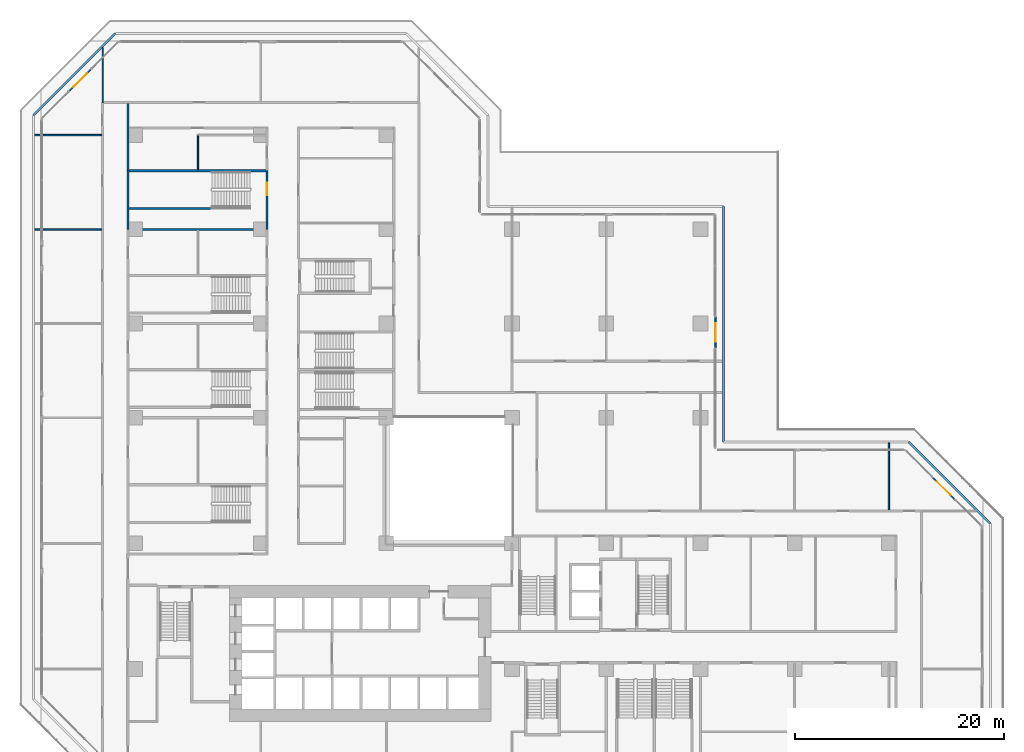
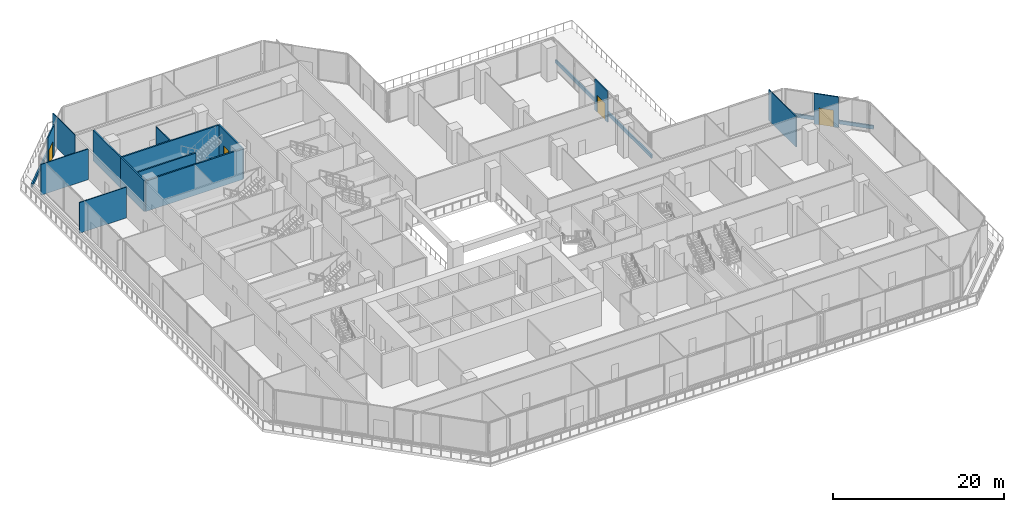
# One storey, part 18 of 26: 17 walls, 4 doors, 4 openings.
"""IFC4 building model written with IfcOpenShell, lengths in metres."""

from ifc_helpers import new_model, si_unit, direction, frame, frame_2d, origin, place, context, subcontext, project, spatial, rectangle, extrude, material, layer, layer_set, type_object, element, fill, save


model = new_model("IFC4")

# Units and contexts
model_context = context("Model", 3, precision=1e-05, world=origin(), true_north=direction((0.0, 1.0)))
body_context = subcontext(model_context, "Body", "Model", "MODEL_VIEW")
ifc_project = project(units=[si_unit("LENGTHUNIT", "METRE"), si_unit("AREAUNIT", "SQUARE_METRE"), si_unit("VOLUMEUNIT", "CUBIC_METRE"), si_unit("PLANEANGLEUNIT", "RADIAN"), si_unit("MASSUNIT", "GRAM", prefix="KILO")], contexts=[model_context])

# Site, building, storey
site_placement = place(None, origin())
site = spatial("IfcSite", under=ifc_project, at=site_placement, CompositionType="ELEMENT")
building_placement = place(site_placement, origin())
building = spatial("IfcBuilding", under=site, at=building_placement, Name="Chenar Terraces", CompositionType="ELEMENT")
storey_placement = place(building_placement, frame((0.0, 0.0, 16.800048828125)))
storey = spatial("IfcBuildingStorey", under=building, at=storey_placement, Name="L03", CompositionType="ELEMENT", Elevation=16.800048828125)

# Walls
ifc_material_1 = material(Name="Gypsum board on steel studs with mineral wool", Category="steel")
ifc_layer_1 = layer(ifc_material_1, 0.125)
ifc_layer_set_1 = layer_set([ifc_layer_1], Name="Gypsum board on steel studs with mineral wool")
wall_type_1 = type_object("IfcWallType", Name="Acoustic partition 125", PredefinedType="PARTITIONING", material=ifc_layer_set_1)
for number, where, z_axis, x_axis, name in (
    (1, (-9.60009765625, 54.0, 0.0), (0.0, 0.0, 1.0), (1.0, 0.0, 0.0), "Partition L03-003"),
    (2, (-9.60009765625, 63.0, 0.0), (0.0, 0.0, 1.0), (1.0, 0.0, 0.0), "Partition L03-004"),
):
    element("IfcWall", number, at=place(storey_placement, frame(where, z_axis=z_axis, x_axis=x_axis)), inside=storey, type_object=wall_type_1, Name=name, PredefinedType="PARTITIONING", context=body_context, shape_type="SweptSolid", body=[
        extrude(rectangle(XDim=6.400146484375, YDim=0.125, at=frame_2d((3.2001953125, 0.0))), origin(), (0.0, 0.0, 1.0), 4.39990234375),
    ])
wall_1_placement = place(storey_placement, frame((-3.10009765625, 66.10009765625, 0.0), z_axis=(0.0, 0.0, 1.0), x_axis=(0.0, 1.0, 0.0)))
element("IfcWall", 3, at=wall_1_placement, inside=storey, type_object=wall_type_1, Name="Partition L03-008", PredefinedType="PARTITIONING", context=body_context, shape_type="SweptSolid", body=[
    extrude(rectangle(XDim=5.2548828125, YDim=0.125, at=frame_2d((2.62744140625, 0.0))), origin(), (0.0, 0.0, 1.0), 4.39990234375),
])
wall_2_placement = place(storey_placement, frame((6.0, 59.699951171875, 0.0), z_axis=(0.0, 0.0, 1.0), x_axis=(0.0, 1.0, 0.0)))
element("IfcWall", 4, at=wall_2_placement, inside=storey, type_object=wall_type_1, Name="Partition L03-037", PredefinedType="PARTITIONING", context=body_context, shape_type="SweptSolid", body=[
    extrude(rectangle(XDim=3.238037109375, YDim=0.125, at=frame_2d((1.619140625, 0.0))), origin(), (0.0, 0.0, 1.0), 4.39990234375),
])
wall_3_placement = place(storey_placement, frame((72.0, 27.199951171875, 0.0), z_axis=(0.0, 0.0, 1.0), x_axis=(0.0, 1.0, 0.0)))
element("IfcWall", 5, at=wall_3_placement, inside=storey, type_object=wall_type_1, Name="Partition L03-115", PredefinedType="PARTITIONING", context=body_context, shape_type="SweptSolid", body=[
    extrude(rectangle(XDim=6.400146484375, YDim=0.125, at=frame_2d((3.2001953125, 0.0))), origin(), (0.0, 0.0, 1.0), 4.39990234375),
])
ifc_material_2 = material(Name="Gypsum board on steel studs with fire boards", Category="steel")
ifc_layer_2 = layer(ifc_material_2, 0.199951171875)
ifc_layer_set_2 = layer_set([ifc_layer_2], Name="Gypsum board on steel studs with fire boards")
wall_type_2 = type_object("IfcWallType", Name="Corridor wall 200", PredefinedType="PARTITIONING", material=ifc_layer_set_2)
wall_4_placement = place(storey_placement, frame((-0.699951171875, 59.60009765625, 0.0), z_axis=(0.0, 0.0, 1.0), x_axis=(0.0, 1.0, 0.0)))
element("IfcWall", 6, at=wall_4_placement, inside=storey, type_object=wall_type_2, Name="Partition L03-018", PredefinedType="PARTITIONING", context=body_context, shape_type="SweptSolid", body=[
    extrude(rectangle(XDim=6.39990234375, YDim=0.199951171875, at=frame_2d((3.199951171875, 0.0))), origin(), (0.0, 0.0, 1.0), 4.39990234375),
])

# Wall, opening, door
ifc_material_3 = material(Name="Aluminium framed glazing", Category="aluminium")
ifc_layer_3 = layer(ifc_material_3, 0.14990234375)
ifc_layer_set_3 = layer_set([ifc_layer_3], Name="Aluminium framed glazing")
wall_type_3 = type_object("IfcWallType", Name="Podium glazed wall 150", PredefinedType="SOLIDWALL", material=ifc_layer_set_3)
wall_5_placement = place(storey_placement, frame((-4.189697265625, 69.31103515625, 0.0), z_axis=(0.0, 0.0, 1.0), x_axis=(-0.707106781187, -0.707106781187, 0.0)))
wall_5 = element("IfcWall", 7, at=wall_5_placement, inside=storey, type_object=wall_type_3, Name="Podium glazed wall", PredefinedType="SOLIDWALL", context=body_context, shape_type="SweptSolid", body=[
    extrude(rectangle(XDim=3.0, YDim=0.14990234375, at=frame_2d((1.5, 0.0))), origin(), (0.0, 0.0, 1.0), 4.39990234375),
])
opening_1_placement = place(wall_5_placement, frame((0.60009765625, 0.0, 0.0)))
opening_1 = element("IfcOpeningElement", 8, at=opening_1_placement, cuts=wall_5, Name="Opening DL03-T1", PredefinedType="OPENING", context=body_context, shape_type="SweptSolid", body=[
    extrude(rectangle(XDim=1.800048828125, YDim=2.39990234375, at=frame_2d((0.89990234375, 1.199951171875))), frame((0.0, 0.0849609375, 0.0), z_axis=(0.0, -1.0, 0.0), x_axis=(1.0, 0.0, 0.0)), (0.0, 0.0, 1.0), 0.169921875),
])
ifc_material_4 = material(Name="Low emissivity double glazing, aluminium frame", Category="aluminium")
door_type_1 = type_object("IfcDoorType", Name="Terrace glazed double door 1800 x 2400", OperationType="DOUBLE_DOOR_SINGLE_SWING", PredefinedType="DOOR", material=ifc_material_4)
door_1_placement = place(opening_1_placement, origin())
door_1 = element("IfcDoor", 9, at=door_1_placement, inside=storey, type_object=door_type_1, Name="Terrace glazed door", OperationType="DOUBLE_DOOR_SINGLE_SWING", OverallHeight=2.39990234375, OverallWidth=1.800048828125, PredefinedType="DOOR", context=body_context, shape_type="SweptSolid", body=[
    extrude(rectangle(XDim=1.800048828125, YDim=2.39990234375, at=frame_2d((0.89990234375, 1.199951171875))), frame((0.0, 0.02490234375, 0.0), z_axis=(0.0, -1.0, 0.0), x_axis=(1.0, 0.0, 0.0)), (0.0, 0.0, 1.0), 0.050048828125),
])
fill(opening_1, door_1)

wall_6_placement = place(storey_placement, frame((78.31103515625, 28.189697265625, 0.0), z_axis=(0.0, 0.0, 1.0), x_axis=(-0.707106781187, 0.707106781187, 0.0)))
wall_6 = element("IfcWall", 10, at=wall_6_placement, inside=storey, type_object=wall_type_3, Name="Podium glazed wall", PredefinedType="SOLIDWALL", context=body_context, shape_type="SweptSolid", body=[
    extrude(rectangle(XDim=3.0, YDim=0.14990234375, at=frame_2d((1.5, 0.0))), origin(), (0.0, 0.0, 1.0), 4.39990234375),
])
opening_2_placement = place(wall_6_placement, frame((0.60009765625, 0.0, 0.0)))
opening_2 = element("IfcOpeningElement", 11, at=opening_2_placement, cuts=wall_6, Name="Opening DL03-T1", PredefinedType="OPENING", context=body_context, shape_type="SweptSolid", body=[
    extrude(rectangle(XDim=1.800048828125, YDim=2.39990234375, at=frame_2d((0.89990234375, 1.199951171875))), frame((0.0, 0.0849609375, 0.0), z_axis=(0.0, -1.0, 0.0), x_axis=(1.0, 0.0, 0.0)), (0.0, 0.0, 1.0), 0.169921875),
])
door_2_placement = place(opening_2_placement, origin())
door_2 = element("IfcDoor", 12, at=door_2_placement, inside=storey, type_object=door_type_1, Name="Terrace glazed door", OperationType="DOUBLE_DOOR_SINGLE_SWING", OverallHeight=2.39990234375, OverallWidth=1.800048828125, PredefinedType="DOOR", context=body_context, shape_type="SweptSolid", body=[
    extrude(rectangle(XDim=1.800048828125, YDim=2.39990234375, at=frame_2d((0.89990234375, 1.199951171875))), frame((0.0, 0.02490234375, 0.0), z_axis=(0.0, -1.0, 0.0), x_axis=(1.0, 0.0, 0.0)), (0.0, 0.0, 1.0), 0.050048828125),
])
fill(opening_2, door_2)

wall_7_placement = place(storey_placement, frame((55.425048828125, 42.64990234375, 0.0), z_axis=(0.0, 0.0, 1.0), x_axis=(0.0, 1.0, 0.0)))
wall_7 = element("IfcWall", 13, at=wall_7_placement, inside=storey, type_object=wall_type_3, Name="Podium glazed wall", PredefinedType="SOLIDWALL", context=body_context, shape_type="SweptSolid", body=[
    extrude(rectangle(XDim=3.0, YDim=0.14990234375, at=frame_2d((1.5, 0.0))), origin(), (0.0, 0.0, 1.0), 4.39990234375),
])
opening_3_placement = place(wall_7_placement, frame((0.60009765625, 0.0, 0.0)))
opening_3 = element("IfcOpeningElement", 14, at=opening_3_placement, cuts=wall_7, Name="Opening DL03-T1", PredefinedType="OPENING", context=body_context, shape_type="SweptSolid", body=[
    extrude(rectangle(XDim=1.800048828125, YDim=2.39990234375, at=frame_2d((0.89990234375, 1.199951171875))), frame((0.0, 0.0849609375, 0.0), z_axis=(0.0, -1.0, 0.0), x_axis=(1.0, 0.0, 0.0)), (0.0, 0.0, 1.0), 0.169921875),
])
door_3_placement = place(opening_3_placement, frame((1.800048828125, 0.0, 0.0), z_axis=(0.0, 0.0, 1.0), x_axis=(-1.0, 0.0, 0.0)))
door_3 = element("IfcDoor", 15, at=door_3_placement, inside=storey, type_object=door_type_1, Name="Terrace glazed door", OperationType="DOUBLE_DOOR_SINGLE_SWING", OverallHeight=2.39990234375, OverallWidth=1.800048828125, PredefinedType="DOOR", context=body_context, shape_type="SweptSolid", body=[
    extrude(rectangle(XDim=1.800048828125, YDim=2.39990234375, at=frame_2d((0.89990234375, 1.199951171875))), frame((0.0, 0.02490234375, 0.0), z_axis=(0.0, -1.0, 0.0), x_axis=(1.0, 0.0, 0.0)), (0.0, 0.0, 1.0), 0.050048828125),
])
fill(opening_3, door_3)

# Walls
ifc_material_5 = material(Name="Reinforced concrete C40/50", Category="concrete")
ifc_layer_4 = layer(ifc_material_5, 0.199951171875)
ifc_layer_set_4 = layer_set([ifc_layer_4], Name="Reinforced concrete C40/50")
wall_type_4 = type_object("IfcWallType", Name="Stair enclosure wall 200 concrete", PredefinedType="SOLIDWALL", material=ifc_layer_set_4)
wall_8_placement = place(storey_placement, frame((-0.699951171875, 54.0, 0.0), z_axis=(0.0, 0.0, 1.0), x_axis=(0.0, 1.0, 0.0)))
element("IfcWall", 16, at=wall_8_placement, inside=storey, type_object=wall_type_4, Name="Stair enclosure wall L03-017", PredefinedType="SOLIDWALL", context=body_context, shape_type="SweptSolid", body=[
    extrude(rectangle(XDim=5.60009765625, YDim=0.199951171875, at=frame_2d((2.800048828125, 0.0))), origin(), (0.0, 0.0, 1.0), 4.39990234375),
])
for number, where, z_axis, x_axis, name in (
    (17, (-0.60009765625, 54.0, 0.0), (0.0, 0.0, 1.0), (1.0, 0.0, 0.0), "Stair enclosure wall L03-027"),
    (18, (-0.60009765625, 59.60009765625, 0.0), (0.0, 0.0, 1.0), (1.0, 0.0, 0.0), "Stair enclosure wall L03-028"),
):
    element("IfcWall", number, at=place(storey_placement, frame(where, z_axis=z_axis, x_axis=x_axis)), inside=storey, type_object=wall_type_4, Name=name, PredefinedType="SOLIDWALL", context=body_context, shape_type="SweptSolid", body=[
        extrude(rectangle(XDim=13.10009765625, YDim=0.199951171875, at=frame_2d((6.550048828125, 0.0))), origin(), (0.0, 0.0, 1.0), 4.39990234375),
    ])

# Wall, opening, door
wall_9_placement = place(storey_placement, frame((12.60009765625, 54.0, 0.0), z_axis=(0.0, 0.0, 1.0), x_axis=(0.0, 1.0, 0.0)))
wall_9 = element("IfcWall", 19, at=wall_9_placement, inside=storey, type_object=wall_type_4, Name="Stair enclosure wall L03-047", PredefinedType="SOLIDWALL", context=body_context, shape_type="SweptSolid", body=[
    extrude(rectangle(XDim=5.60009765625, YDim=0.199951171875, at=frame_2d((2.800048828125, 0.0))), origin(), (0.0, 0.0, 1.0), 4.39990234375),
])
opening_4_placement = place(wall_9_placement, frame((3.25, 0.0, 0.0)))
opening_4 = element("IfcOpeningElement", 20, at=opening_4_placement, cuts=wall_9, Name="Opening DL03-66", PredefinedType="OPENING", context=body_context, shape_type="SweptSolid", body=[
    extrude(rectangle(XDim=1.199951171875, YDim=2.10009765625, at=frame_2d((0.60009765625, 1.050048828125))), frame((0.0, 0.10986328125, 0.0), z_axis=(0.0, -1.0, 0.0), x_axis=(1.0, 0.0, 0.0)), (0.0, 0.0, 1.0), 0.219970703125),
])
ifc_material_6 = material(Name="Steel-framed fire-resisting door leaf", Category="steel")
door_type_2 = type_object("IfcDoorType", Name="Fire door FD120 1200 x 2100", OperationType="SINGLE_SWING_LEFT", PredefinedType="DOOR", material=ifc_material_6)
door_4_placement = place(opening_4_placement, origin())
door_4 = element("IfcDoor", 21, at=door_4_placement, inside=storey, type_object=door_type_2, Name="Door DL03-66", OperationType="SINGLE_SWING_RIGHT", OverallHeight=2.10009765625, OverallWidth=1.199951171875, PredefinedType="DOOR", context=body_context, shape_type="SweptSolid", body=[
    extrude(rectangle(XDim=1.199951171875, YDim=2.10009765625, at=frame_2d((0.60009765625, 1.050048828125))), frame((0.0, 0.02490234375, 0.0), z_axis=(0.0, -1.0, 0.0), x_axis=(1.0, 0.0, 0.0)), (0.0, 0.0, 1.0), 0.050048828125),
])
fill(opening_4, door_4)

# Walls
wall_10_placement = place(storey_placement, frame((-0.60009765625, 56.0, 0.0), z_axis=(0.0, 0.0, 1.0), x_axis=(1.0, 0.0, 0.0)))
element("IfcWall", 22, at=wall_10_placement, inside=storey, type_object=wall_type_4, Name="Stair enclosure wall L03-PS3-022", PredefinedType="SOLIDWALL", context=body_context, shape_type="SweptSolid", body=[
    extrude(rectangle(XDim=7.945068359375, YDim=0.199951171875, at=frame_2d((3.97265625, 0.0))), origin(), (0.0, 0.0, 1.0), 4.39990234375),
])
ifc_material_7 = material(Name="Terracotta cladding on insulated backing", Category="masonry")
ifc_layer_5 = layer(ifc_material_7, 0.199951171875)
ifc_layer_set_5 = layer_set([ifc_layer_5], Name="Terracotta cladding on insulated backing")
wall_type_5 = type_object("IfcWallType", Name="Terrace parapet upstand 200", PredefinedType="PARAPET", material=ifc_layer_set_5)
wall_11_placement = place(storey_placement, frame((56.199951171875, 56.199951171875, 0.0), z_axis=(0.0, 0.0, 1.0), x_axis=(0.0, -1.0, 0.0)))
element("IfcWall", 23, at=wall_11_placement, inside=storey, type_object=wall_type_5, Name="Terrace parapet", PredefinedType="PARAPET", context=body_context, shape_type="SweptSolid", body=[
    extrude(rectangle(XDim=22.5, YDim=0.199951171875, at=frame_2d((11.25, 0.0))), origin(), (0.0, 0.0, 1.0), 0.5),
])
for number, where, z_axis, x_axis, name in (
    (24, (73.896484375, 33.699951171875, 0.0), (0.0, 0.0, 1.0), (0.707106781187, -0.707106781187, 0.0), "Terrace parapet"),
    (25, (-9.699951171875, 64.896484375, 0.0), (0.0, 0.0, 1.0), (0.707106781187, 0.707106781187, 0.0), "Terrace parapet"),
):
    element("IfcWall", number, at=place(storey_placement, frame(where, z_axis=z_axis, x_axis=x_axis)), inside=storey, type_object=wall_type_5, Name=name, PredefinedType="PARAPET", context=body_context, shape_type="SweptSolid", body=[
        extrude(rectangle(XDim=11.035888671875, YDim=0.199951171875, at=frame_2d((5.51806640625, 0.0))), origin(), (0.0, 0.0, 1.0), 0.5),
    ])

save(model, "model.ifc")
